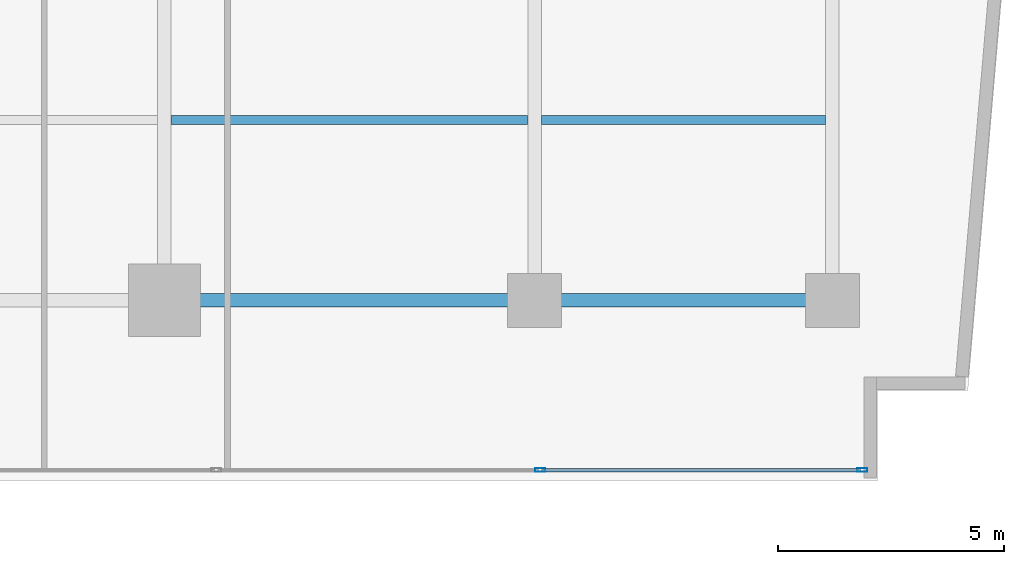
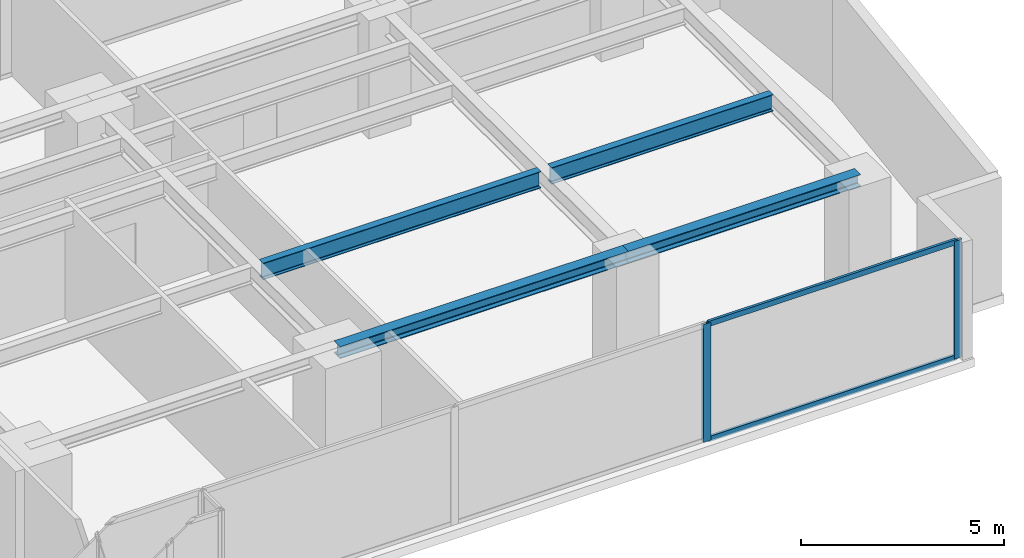
# One storey, part 11 of 30: 4 beams, 4 members, 1 element without a shape of its own.
"""IFC4 building model written with IfcOpenShell, lengths in metres."""

from ifc_helpers import new_model, si_unit, direction, frame, origin, origin_with_axes, origin_2d, place, context, subcontext, project, spatial, hollow_rectangle, i_section, extrude, source, transform, mapped, material, layer, layer_set, material_profile, profile_set, type_object, element, aggregate, save


model = new_model("IFC4")

# Units and contexts
model_context = context("Model", 3, precision=1e-05, world=origin(), true_north=direction((0.0, 1.0)))
body_context = subcontext(model_context, "Body", "Model", "MODEL_VIEW")
ifc_project = project(units=[si_unit("LENGTHUNIT", "METRE"), si_unit("AREAUNIT", "SQUARE_METRE"), si_unit("VOLUMEUNIT", "CUBIC_METRE"), si_unit("PLANEANGLEUNIT", "RADIAN"), si_unit("MASSUNIT", "GRAM", prefix="KILO")], contexts=[model_context])

# Site, building, storey
site_placement = place(None, origin())
site = spatial("IfcSite", under=ifc_project, at=site_placement, CompositionType="ELEMENT")
building_placement = place(site_placement, origin())
building = spatial("IfcBuilding", under=site, at=building_placement, Name="Kolvaren Waterfront Exchange", CompositionType="ELEMENT")
storey_placement = place(building_placement, frame((0.0, 0.0, 71.39990234375)))
storey = spatial("IfcBuildingStorey", under=building, at=storey_placement, Name="L18", CompositionType="ELEMENT", Elevation=71.39990234375)

# Beams
ifc_material_1 = material(Name="Steel S355", Category="steel")
ifc_material_profile_1 = material_profile(ifc_material_1, i_section(OverallWidth=0.300048828125, OverallDepth=0.360107421875, WebThickness=0.012451171875, FlangeThickness=0.0224609375, FilletRadius=0.027099609375, at=origin_2d()), Name="HEB360")
ifc_profile_set_1 = profile_set([ifc_material_profile_1], Name="Steel S355")
beam_type_1 = type_object("IfcBeamType", Name="STR-BM-HEB360", PredefinedType="SPANDREL", material=ifc_profile_set_1)
beam_1_placement = place(storey_placement, frame((45.60009765625, 5.199951171875, 3.360107421875), z_axis=(1.0, 0.0, 0.0), x_axis=(0.0, 1.0, 0.0)))
element("IfcBeam", 1, at=beam_1_placement, inside=storey, type_object=beam_type_1, Name="L18 east-arm spandrel S4", PredefinedType="SPANDREL", context=body_context, shape_type="SweptSolid", body=[
    extrude(i_section(OverallWidth=0.300048828125, OverallDepth=0.360107421875, WebThickness=0.012451171875, FlangeThickness=0.0224609375, FilletRadius=0.027099609375, at=origin_2d()), origin(), (0.0, 0.0, 1.0), 8.199951171875),
])
beam_2_placement = place(storey_placement, frame((53.800048828125, 5.199951171875, 3.360107421875), z_axis=(1.0, 0.0, 0.0), x_axis=(0.0, 1.0, 0.0)))
element("IfcBeam", 2, at=beam_2_placement, inside=storey, type_object=beam_type_1, Name="L18 east-arm spandrel S5", PredefinedType="SPANDREL", context=body_context, shape_type="SweptSolid", body=[
    extrude(i_section(OverallWidth=0.300048828125, OverallDepth=0.360107421875, WebThickness=0.012451171875, FlangeThickness=0.0224609375, FilletRadius=0.027099609375, at=origin_2d()), origin(), (0.0, 0.0, 1.0), 6.599853515625),
])
ifc_material_profile_2 = material_profile(ifc_material_1, i_section(OverallWidth=0.199951171875, OverallDepth=0.5, WebThickness=0.01025390625, FlangeThickness=0.01611328125, FilletRadius=0.02099609375, at=origin_2d()), Name="IPE500")
ifc_profile_set_2 = profile_set([ifc_material_profile_2], Name="Steel S355")
beam_type_2 = type_object("IfcBeamType", Name="STR-BM-IPE500", PredefinedType="JOIST", material=ifc_profile_set_2)
beam_3_placement = place(storey_placement, frame((45.751953125, 9.199951171875, 3.2900390625), z_axis=(1.0, 0.0, 0.0), x_axis=(0.0, 1.0, 0.0)))
element("IfcBeam", 3, at=beam_3_placement, inside=storey, type_object=beam_type_2, Name="L18 east-arm composite joist 4B", PredefinedType="JOIST", context=body_context, shape_type="SweptSolid", body=[
    extrude(i_section(OverallWidth=0.199951171875, OverallDepth=0.5, WebThickness=0.01025390625, FlangeThickness=0.01611328125, FilletRadius=0.02099609375, at=origin_2d()), origin(), (0.0, 0.0, 1.0), 7.89599609375),
])
beam_4_placement = place(storey_placement, frame((53.951904296875, 9.199951171875, 3.2900390625), z_axis=(1.0, 0.0, 0.0), x_axis=(0.0, 1.0, 0.0)))
element("IfcBeam", 4, at=beam_4_placement, inside=storey, type_object=beam_type_2, Name="L18 east-arm composite joist 5B", PredefinedType="JOIST", context=body_context, shape_type="SweptSolid", body=[
    extrude(i_section(OverallWidth=0.199951171875, OverallDepth=0.5, WebThickness=0.01025390625, FlangeThickness=0.01611328125, FilletRadius=0.02099609375, at=origin_2d()), origin(), (0.0, 0.0, 1.0), 6.296142578125),
])

# Curtain wall, members
ifc_material_2 = material(Name="Anodised bronze aluminium 6063-T6", Category="aluminium")
ifc_layer = layer(ifc_material_2, 0.219970703125, Name="Anodised bronze aluminium 6063-T6")
ifc_layer_set = layer_set([ifc_layer], Name="Anodised bronze aluminium 6063-T6")
curtain_wall_type = type_object("IfcCurtainWallType", Name="ARC-CW-SYS1", PredefinedType="USERDEFINED", material=ifc_layer_set)
curtain_wall_placement = place(storey_placement, origin())
curtain_wall = element("IfcCurtainWall", 5, at=curtain_wall_placement, inside=storey, type_object=curtain_wall_type, Name="L18 stick curtain wall CW1 (CW-L18-S)", ObjectType="STICK CURTAIN WALL", PredefinedType="USERDEFINED")
ifc_material_3 = material(Name="Anodised aluminium 6063-T6", Category="aluminium")
ifc_material_profile_3 = material_profile(ifc_material_3, hollow_rectangle(XDim=0.074951171875, YDim=0.159912109375, WallThickness=0.00439453125, at=origin_2d()), Name="ALU-TRN-160x75x4.5")
ifc_profile_set_3 = profile_set([ifc_material_profile_3], Name="Anodised aluminium 6063-T6")
member_type_1 = type_object("IfcMemberType", Name="ARC-CWT-160", PredefinedType="USERDEFINED", material=ifc_profile_set_3)
shared_shape_1 = source(origin_with_axes(), body_context, "Body", "SweptSolid", [
    extrude(hollow_rectangle(XDim=0.074951171875, YDim=0.159912109375, WallThickness=0.00439453125, at=origin_2d()), origin(), (0.0, 0.0, 1.0), 7.054931640625),
])
member_1_placement = place(storey_placement, frame((53.965087890625, 1.43994140625, 0.03759765625), z_axis=(1.0, 0.0, 0.0), x_axis=(0.0, 1.0, 0.0)))
member_1 = element("IfcMember", 6, at=member_1_placement, type_object=member_type_1, Name="CW1 transom 8.1", ObjectType="TRANSOM", PredefinedType="USERDEFINED", context=body_context, shape_type="MappedRepresentation", body=[
    mapped(shared_shape_1, transform((0.0, 0.0, 0.0), x_axis=(1.0, 0.0, 0.0), y_axis=(0.0, 1.0, 0.0), z_axis=(0.0, 0.0, 1.0), scale=1.0)),
])
member_2_placement = place(storey_placement, frame((53.965087890625, 1.43994140625, 3.502685546875), z_axis=(1.0, 0.0, 0.0), x_axis=(0.0, 1.0, 0.0)))
member_2 = element("IfcMember", 7, at=member_2_placement, type_object=member_type_1, Name="CW1 transom 8.2", ObjectType="TRANSOM", PredefinedType="USERDEFINED", context=body_context, shape_type="MappedRepresentation", body=[
    mapped(shared_shape_1, transform((0.0, 0.0, 0.0), x_axis=(1.0, 0.0, 0.0), y_axis=(0.0, 1.0, 0.0), z_axis=(0.0, 0.0, 1.0), scale=1.0)),
])
ifc_material_profile_4 = material_profile(ifc_material_3, hollow_rectangle(XDim=0.080078125, YDim=0.219970703125, WallThickness=0.0048828125, at=origin_2d()), Name="ALU-MUL-220x80x5")
ifc_profile_set_4 = profile_set([ifc_material_profile_4], Name="Anodised aluminium 6063-T6")
member_type_2 = type_object("IfcMemberType", Name="ARC-CWM-220", PredefinedType="MULLION", material=ifc_profile_set_4)
shared_shape_2 = source(origin_with_axes(), body_context, "Body", "SweptSolid", [
    extrude(hollow_rectangle(XDim=0.080078125, YDim=0.219970703125, WallThickness=0.0048828125, at=origin_2d()), origin(), (0.0, 0.0, 1.0), 3.5400390625),
])
member_3_placement = place(storey_placement, frame((53.925048828125, 1.43994140625, 0.0), z_axis=(0.0, 0.0, 1.0), x_axis=(0.0, 1.0, 0.0)))
member_3 = element("IfcMember", 8, at=member_3_placement, type_object=member_type_2, Name="CW1 mullion 8", PredefinedType="MULLION", context=body_context, shape_type="MappedRepresentation", body=[
    mapped(shared_shape_2, transform((0.0, 0.0, 0.0), x_axis=(1.0, 0.0, 0.0), y_axis=(0.0, 1.0, 0.0), z_axis=(0.0, 0.0, 1.0), scale=1.0)),
])
member_4_placement = place(storey_placement, frame((61.06005859375, 1.43994140625, 0.0), z_axis=(0.0, 0.0, 1.0), x_axis=(0.0, 1.0, 0.0)))
member_4 = element("IfcMember", 9, at=member_4_placement, type_object=member_type_2, Name="CW1 mullion 9", PredefinedType="MULLION", context=body_context, shape_type="MappedRepresentation", body=[
    mapped(shared_shape_2, transform((0.0, 0.0, 0.0), x_axis=(1.0, 0.0, 0.0), y_axis=(0.0, 1.0, 0.0), z_axis=(0.0, 0.0, 1.0), scale=1.0)),
])
aggregate(curtain_wall, [member_3, member_4, member_1, member_2])

save(model, "model.ifc")
